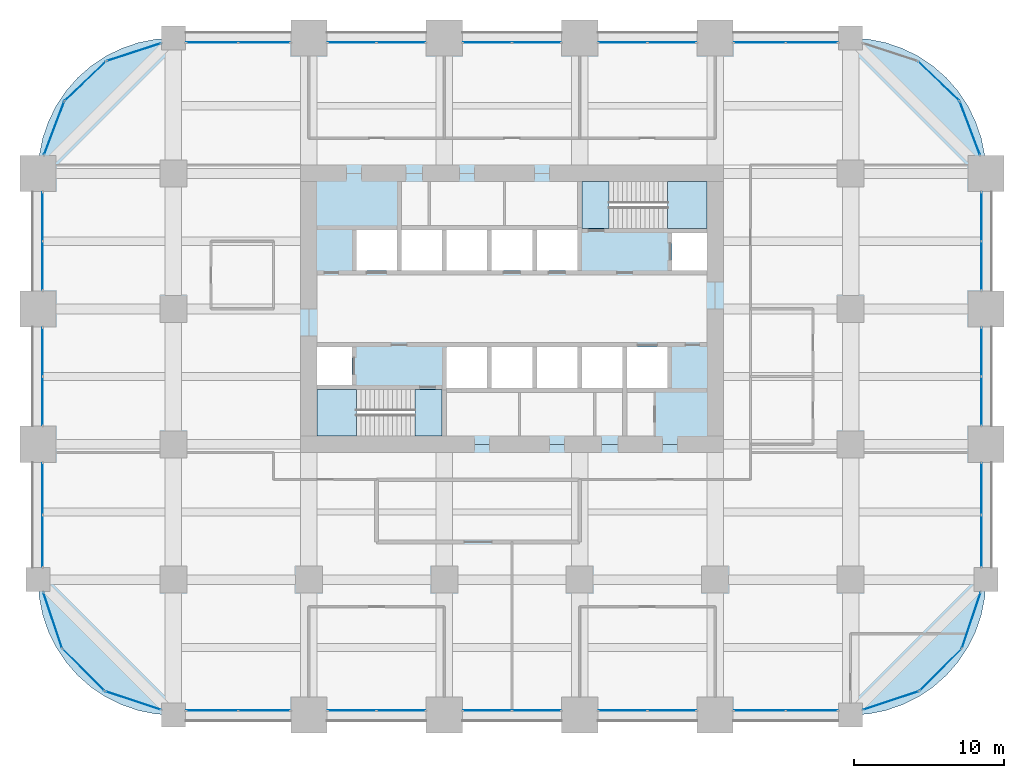
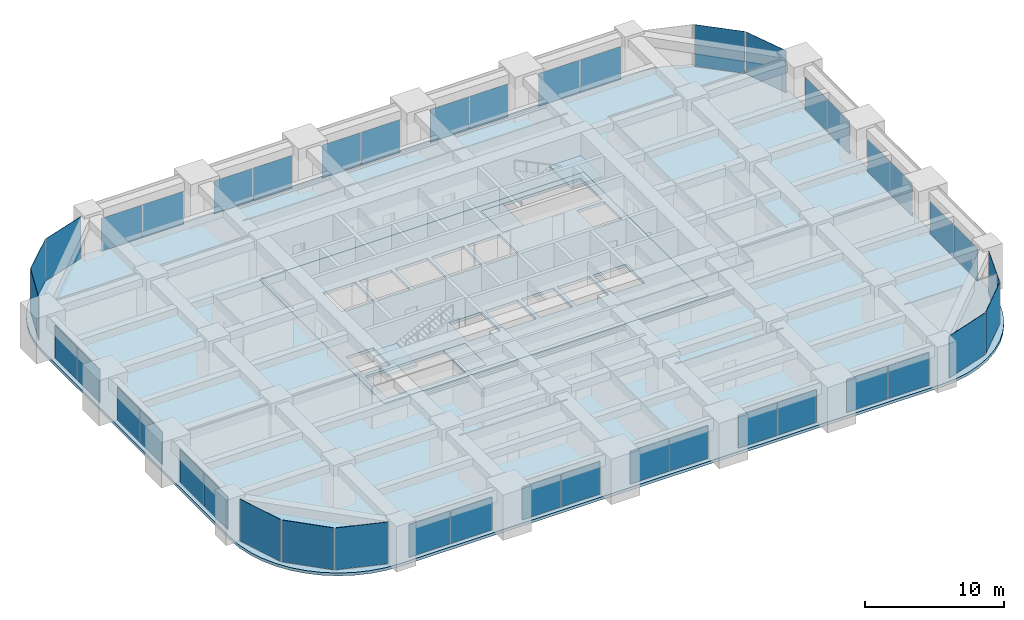
# One storey, part 35 of 39: 43 plates, 6 slabs, 29 elements without a shape of their own.
"""IFC4 building model written with IfcOpenShell, lengths in metres."""

from ifc_helpers import new_model, si_unit, direction, frame, origin, origin_2d, place, context, subcontext, project, spatial, polyline, rectangle, outline, extrude, material, layer, layer_set, type_object, element, aggregate, save


model = new_model("IFC4")

# Units and contexts
model_context = context("Model", 3, precision=1e-05, world=origin(), true_north=direction((0.0, 1.0)))
body_context = subcontext(model_context, "Body", "Model", "MODEL_VIEW")
ifc_project = project(units=[si_unit("LENGTHUNIT", "METRE"), si_unit("AREAUNIT", "SQUARE_METRE"), si_unit("VOLUMEUNIT", "CUBIC_METRE"), si_unit("PLANEANGLEUNIT", "RADIAN"), si_unit("MASSUNIT", "GRAM", prefix="KILO")], contexts=[model_context])

# Site, building, storey
site_placement = place(None, origin())
site = spatial("IfcSite", under=ifc_project, at=site_placement, CompositionType="ELEMENT")
building_placement = place(site_placement, origin())
building = spatial("IfcBuilding", under=site, at=building_placement, Name="Zorevar Civic Tower", CompositionType="ELEMENT")
storey_placement = place(building_placement, frame((0.0, 0.0, 125.0)))
storey = spatial("IfcBuildingStorey", under=building, at=storey_placement, Name="L30", CompositionType="ELEMENT", Elevation=125.0)

# Curtain wall, plates
ifc_material_1 = material(Name="Dark grey solar-control glass in black aluminium frame", Category="aluminium")
curtain_wall_type = type_object("IfcCurtainWallType", Name="Curtain wall CW3 mid zone", PredefinedType="NOTDEFINED", material=ifc_material_1)
curtain_wall_1_placement = place(storey_placement, origin())
curtain_wall_1 = element("IfcCurtainWall", 1, at=curtain_wall_1_placement, inside=storey, type_object=curtain_wall_type, Name="CW3 L30", PredefinedType="NOTDEFINED")
ifc_material_2 = material(Name="Dark grey solar-control glass", Category="glass")
ifc_layer_1 = layer(ifc_material_2, 0.030029296875)
ifc_layer_set_1 = layer_set([ifc_layer_1], Name="CW3 panel 30")
plate_type = type_object("IfcPlateType", Name="CW3 panel 30", PredefinedType="CURTAIN_PANEL", material=ifc_layer_set_1)
plate_1_placement = place(storey_placement, frame((11.56494140625, 0.300048828125, 0.06005859375), z_axis=(0.0, 0.0, 1.0), x_axis=(1.0, 0.0, 0.0)))
plate_1 = element("IfcPlate", 2, at=plate_1_placement, type_object=plate_type, Name="CW3 panel 1.1", PredefinedType="CURTAIN_PANEL", context=body_context, shape_type="SweptSolid", body=[
    extrude(rectangle(XDim=3.409912109375, YDim=0.030029296875, at=origin_2d()), origin(), (0.0, 0.0, 1.0), 2.889892578125),
])
plate_2_placement = place(storey_placement, frame((15.034912109375, 0.300048828125, 0.06005859375), z_axis=(0.0, 0.0, 1.0), x_axis=(1.0, 0.0, 0.0)))
plate_2 = element("IfcPlate", 3, at=plate_2_placement, type_object=plate_type, Name="CW3 panel 2.1", PredefinedType="CURTAIN_PANEL", context=body_context, shape_type="SweptSolid", body=[
    extrude(rectangle(XDim=3.409912109375, YDim=0.030029296875, at=origin_2d()), origin(), (0.0, 0.0, 1.0), 2.889892578125),
])
aggregate(curtain_wall_1, [plate_1, plate_2])

curtain_wall_2_placement = place(storey_placement, origin())
curtain_wall_2 = element("IfcCurtainWall", 4, at=curtain_wall_2_placement, inside=storey, type_object=curtain_wall_type, Name="CW3 L30", PredefinedType="NOTDEFINED")
plate_3_placement = place(storey_placement, frame((11.56494140625, 44.699951171875, 0.06005859375), z_axis=(0.0, 0.0, 1.0), x_axis=(1.0, 0.0, 0.0)))
plate_3 = element("IfcPlate", 5, at=plate_3_placement, type_object=plate_type, Name="CW3 panel 1.1", PredefinedType="CURTAIN_PANEL", context=body_context, shape_type="SweptSolid", body=[
    extrude(rectangle(XDim=3.409912109375, YDim=0.030029296875, at=origin_2d()), origin(), (0.0, 0.0, 1.0), 2.889892578125),
])
plate_4_placement = place(storey_placement, frame((15.034912109375, 44.699951171875, 0.06005859375), z_axis=(0.0, 0.0, 1.0), x_axis=(1.0, 0.0, 0.0)))
plate_4 = element("IfcPlate", 6, at=plate_4_placement, type_object=plate_type, Name="CW3 panel 2.1", PredefinedType="CURTAIN_PANEL", context=body_context, shape_type="SweptSolid", body=[
    extrude(rectangle(XDim=3.409912109375, YDim=0.030029296875, at=origin_2d()), origin(), (0.0, 0.0, 1.0), 2.889892578125),
])
aggregate(curtain_wall_2, [plate_3, plate_4])

curtain_wall_3_placement = place(storey_placement, origin())
curtain_wall_3 = element("IfcCurtainWall", 7, at=curtain_wall_3_placement, inside=storey, type_object=curtain_wall_type, Name="CW3 L30", PredefinedType="NOTDEFINED")
plate_5_placement = place(storey_placement, frame((20.864990234375, 0.300048828125, 0.06005859375), z_axis=(0.0, 0.0, 1.0), x_axis=(1.0, 0.0, 0.0)))
plate_5 = element("IfcPlate", 8, at=plate_5_placement, type_object=plate_type, Name="CW3 panel 1.1", PredefinedType="CURTAIN_PANEL", context=body_context, shape_type="SweptSolid", body=[
    extrude(rectangle(XDim=3.2099609375, YDim=0.030029296875, at=origin_2d()), origin(), (0.0, 0.0, 1.0), 2.889892578125),
])
plate_6_placement = place(storey_placement, frame((24.135009765625, 0.300048828125, 0.06005859375), z_axis=(0.0, 0.0, 1.0), x_axis=(1.0, 0.0, 0.0)))
plate_6 = element("IfcPlate", 9, at=plate_6_placement, type_object=plate_type, Name="CW3 panel 2.1", PredefinedType="CURTAIN_PANEL", context=body_context, shape_type="SweptSolid", body=[
    extrude(rectangle(XDim=3.2099609375, YDim=0.030029296875, at=origin_2d()), origin(), (0.0, 0.0, 1.0), 2.889892578125),
])
aggregate(curtain_wall_3, [plate_5, plate_6])

curtain_wall_4_placement = place(storey_placement, origin())
curtain_wall_4 = element("IfcCurtainWall", 10, at=curtain_wall_4_placement, inside=storey, type_object=curtain_wall_type, Name="CW3 L30", PredefinedType="NOTDEFINED")
plate_7_placement = place(storey_placement, frame((20.864990234375, 44.699951171875, 0.06005859375), z_axis=(0.0, 0.0, 1.0), x_axis=(1.0, 0.0, 0.0)))
plate_7 = element("IfcPlate", 11, at=plate_7_placement, type_object=plate_type, Name="CW3 panel 1.1", PredefinedType="CURTAIN_PANEL", context=body_context, shape_type="SweptSolid", body=[
    extrude(rectangle(XDim=3.2099609375, YDim=0.030029296875, at=origin_2d()), origin(), (0.0, 0.0, 1.0), 2.889892578125),
])
plate_8_placement = place(storey_placement, frame((24.135009765625, 44.699951171875, 0.06005859375), z_axis=(0.0, 0.0, 1.0), x_axis=(1.0, 0.0, 0.0)))
plate_8 = element("IfcPlate", 12, at=plate_8_placement, type_object=plate_type, Name="CW3 panel 2.1", PredefinedType="CURTAIN_PANEL", context=body_context, shape_type="SweptSolid", body=[
    extrude(rectangle(XDim=3.2099609375, YDim=0.030029296875, at=origin_2d()), origin(), (0.0, 0.0, 1.0), 2.889892578125),
])
aggregate(curtain_wall_4, [plate_7, plate_8])

curtain_wall_5_placement = place(storey_placement, origin())
curtain_wall_5 = element("IfcCurtainWall", 13, at=curtain_wall_5_placement, inside=storey, type_object=curtain_wall_type, Name="CW3 L30", PredefinedType="NOTDEFINED")
plate_9_placement = place(storey_placement, frame((29.864990234375, 0.300048828125, 0.06005859375), z_axis=(0.0, 0.0, 1.0), x_axis=(1.0, 0.0, 0.0)))
plate_9 = element("IfcPlate", 14, at=plate_9_placement, type_object=plate_type, Name="CW3 panel 1.1", PredefinedType="CURTAIN_PANEL", context=body_context, shape_type="SweptSolid", body=[
    extrude(rectangle(XDim=3.2099609375, YDim=0.030029296875, at=origin_2d()), origin(), (0.0, 0.0, 1.0), 2.889892578125),
])
plate_10_placement = place(storey_placement, frame((33.135009765625, 0.300048828125, 0.06005859375), z_axis=(0.0, 0.0, 1.0), x_axis=(1.0, 0.0, 0.0)))
plate_10 = element("IfcPlate", 15, at=plate_10_placement, type_object=plate_type, Name="CW3 panel 2.1", PredefinedType="CURTAIN_PANEL", context=body_context, shape_type="SweptSolid", body=[
    extrude(rectangle(XDim=3.2099609375, YDim=0.030029296875, at=origin_2d()), origin(), (0.0, 0.0, 1.0), 2.889892578125),
])
aggregate(curtain_wall_5, [plate_9, plate_10])

curtain_wall_6_placement = place(storey_placement, origin())
curtain_wall_6 = element("IfcCurtainWall", 16, at=curtain_wall_6_placement, inside=storey, type_object=curtain_wall_type, Name="CW3 L30", PredefinedType="NOTDEFINED")
plate_11_placement = place(storey_placement, frame((29.864990234375, 44.699951171875, 0.06005859375), z_axis=(0.0, 0.0, 1.0), x_axis=(1.0, 0.0, 0.0)))
plate_11 = element("IfcPlate", 17, at=plate_11_placement, type_object=plate_type, Name="CW3 panel 1.1", PredefinedType="CURTAIN_PANEL", context=body_context, shape_type="SweptSolid", body=[
    extrude(rectangle(XDim=3.2099609375, YDim=0.030029296875, at=origin_2d()), origin(), (0.0, 0.0, 1.0), 2.889892578125),
])
plate_12_placement = place(storey_placement, frame((33.135009765625, 44.699951171875, 0.06005859375), z_axis=(0.0, 0.0, 1.0), x_axis=(1.0, 0.0, 0.0)))
plate_12 = element("IfcPlate", 18, at=plate_12_placement, type_object=plate_type, Name="CW3 panel 2.1", PredefinedType="CURTAIN_PANEL", context=body_context, shape_type="SweptSolid", body=[
    extrude(rectangle(XDim=3.2099609375, YDim=0.030029296875, at=origin_2d()), origin(), (0.0, 0.0, 1.0), 2.889892578125),
])
aggregate(curtain_wall_6, [plate_11, plate_12])

curtain_wall_7_placement = place(storey_placement, origin())
curtain_wall_7 = element("IfcCurtainWall", 19, at=curtain_wall_7_placement, inside=storey, type_object=curtain_wall_type, Name="CW3 L30", PredefinedType="NOTDEFINED")
plate_13_placement = place(storey_placement, frame((38.864990234375, 0.300048828125, 0.06005859375), z_axis=(0.0, 0.0, 1.0), x_axis=(1.0, 0.0, 0.0)))
plate_13 = element("IfcPlate", 20, at=plate_13_placement, type_object=plate_type, Name="CW3 panel 1.1", PredefinedType="CURTAIN_PANEL", context=body_context, shape_type="SweptSolid", body=[
    extrude(rectangle(XDim=3.2099609375, YDim=0.030029296875, at=origin_2d()), origin(), (0.0, 0.0, 1.0), 2.889892578125),
])
plate_14_placement = place(storey_placement, frame((42.135009765625, 0.300048828125, 0.06005859375), z_axis=(0.0, 0.0, 1.0), x_axis=(1.0, 0.0, 0.0)))
plate_14 = element("IfcPlate", 21, at=plate_14_placement, type_object=plate_type, Name="CW3 panel 2.1", PredefinedType="CURTAIN_PANEL", context=body_context, shape_type="SweptSolid", body=[
    extrude(rectangle(XDim=3.2099609375, YDim=0.030029296875, at=origin_2d()), origin(), (0.0, 0.0, 1.0), 2.889892578125),
])
aggregate(curtain_wall_7, [plate_13, plate_14])

curtain_wall_8_placement = place(storey_placement, origin())
curtain_wall_8 = element("IfcCurtainWall", 22, at=curtain_wall_8_placement, inside=storey, type_object=curtain_wall_type, Name="CW3 L30", PredefinedType="NOTDEFINED")
plate_15_placement = place(storey_placement, frame((38.864990234375, 44.699951171875, 0.06005859375), z_axis=(0.0, 0.0, 1.0), x_axis=(1.0, 0.0, 0.0)))
plate_15 = element("IfcPlate", 23, at=plate_15_placement, type_object=plate_type, Name="CW3 panel 1.1", PredefinedType="CURTAIN_PANEL", context=body_context, shape_type="SweptSolid", body=[
    extrude(rectangle(XDim=3.2099609375, YDim=0.030029296875, at=origin_2d()), origin(), (0.0, 0.0, 1.0), 2.889892578125),
])
plate_16_placement = place(storey_placement, frame((42.135009765625, 44.699951171875, 0.06005859375), z_axis=(0.0, 0.0, 1.0), x_axis=(1.0, 0.0, 0.0)))
plate_16 = element("IfcPlate", 24, at=plate_16_placement, type_object=plate_type, Name="CW3 panel 2.1", PredefinedType="CURTAIN_PANEL", context=body_context, shape_type="SweptSolid", body=[
    extrude(rectangle(XDim=3.2099609375, YDim=0.030029296875, at=origin_2d()), origin(), (0.0, 0.0, 1.0), 2.889892578125),
])
aggregate(curtain_wall_8, [plate_15, plate_16])

curtain_wall_9_placement = place(storey_placement, origin())
curtain_wall_9 = element("IfcCurtainWall", 25, at=curtain_wall_9_placement, inside=storey, type_object=curtain_wall_type, Name="CW3 L30", PredefinedType="NOTDEFINED")
plate_17_placement = place(storey_placement, frame((47.965087890625, 0.300048828125, 0.06005859375), z_axis=(0.0, 0.0, 1.0), x_axis=(1.0, 0.0, 0.0)))
plate_17 = element("IfcPlate", 26, at=plate_17_placement, type_object=plate_type, Name="CW3 panel 1.1", PredefinedType="CURTAIN_PANEL", context=body_context, shape_type="SweptSolid", body=[
    extrude(rectangle(XDim=3.409912109375, YDim=0.030029296875, at=origin_2d()), origin(), (0.0, 0.0, 1.0), 2.889892578125),
])
plate_18_placement = place(storey_placement, frame((51.43505859375, 0.300048828125, 0.06005859375), z_axis=(0.0, 0.0, 1.0), x_axis=(1.0, 0.0, 0.0)))
plate_18 = element("IfcPlate", 27, at=plate_18_placement, type_object=plate_type, Name="CW3 panel 2.1", PredefinedType="CURTAIN_PANEL", context=body_context, shape_type="SweptSolid", body=[
    extrude(rectangle(XDim=3.409912109375, YDim=0.030029296875, at=origin_2d()), origin(), (0.0, 0.0, 1.0), 2.889892578125),
])
aggregate(curtain_wall_9, [plate_17, plate_18])

curtain_wall_10_placement = place(storey_placement, origin())
curtain_wall_10 = element("IfcCurtainWall", 28, at=curtain_wall_10_placement, inside=storey, type_object=curtain_wall_type, Name="CW3 L30", PredefinedType="NOTDEFINED")
plate_19_placement = place(storey_placement, frame((47.965087890625, 44.699951171875, 0.06005859375), z_axis=(0.0, 0.0, 1.0), x_axis=(1.0, 0.0, 0.0)))
plate_19 = element("IfcPlate", 29, at=plate_19_placement, type_object=plate_type, Name="CW3 panel 1.1", PredefinedType="CURTAIN_PANEL", context=body_context, shape_type="SweptSolid", body=[
    extrude(rectangle(XDim=3.409912109375, YDim=0.030029296875, at=origin_2d()), origin(), (0.0, 0.0, 1.0), 2.889892578125),
])
plate_20_placement = place(storey_placement, frame((51.43505859375, 44.699951171875, 0.06005859375), z_axis=(0.0, 0.0, 1.0), x_axis=(1.0, 0.0, 0.0)))
plate_20 = element("IfcPlate", 30, at=plate_20_placement, type_object=plate_type, Name="CW3 panel 2.1", PredefinedType="CURTAIN_PANEL", context=body_context, shape_type="SweptSolid", body=[
    extrude(rectangle(XDim=3.409912109375, YDim=0.030029296875, at=origin_2d()), origin(), (0.0, 0.0, 1.0), 2.889892578125),
])
aggregate(curtain_wall_10, [plate_19, plate_20])

curtain_wall_11_placement = place(storey_placement, origin())
curtain_wall_11 = element("IfcCurtainWall", 31, at=curtain_wall_11_placement, inside=storey, type_object=curtain_wall_type, Name="CW3 L30", PredefinedType="NOTDEFINED")
plate_21_placement = place(storey_placement, frame((0.300048828125, 11.56494140625, 0.06005859375), z_axis=(0.0, 0.0, 1.0), x_axis=(0.0, 1.0, 0.0)))
plate_21 = element("IfcPlate", 32, at=plate_21_placement, type_object=plate_type, Name="CW3 panel 1.1", PredefinedType="CURTAIN_PANEL", context=body_context, shape_type="SweptSolid", body=[
    extrude(rectangle(XDim=3.409912109375, YDim=0.030029296875, at=origin_2d()), origin(), (0.0, 0.0, 1.0), 2.889892578125),
])
plate_22_placement = place(storey_placement, frame((0.300048828125, 15.034912109375, 0.06005859375), z_axis=(0.0, 0.0, 1.0), x_axis=(0.0, 1.0, 0.0)))
plate_22 = element("IfcPlate", 33, at=plate_22_placement, type_object=plate_type, Name="CW3 panel 2.1", PredefinedType="CURTAIN_PANEL", context=body_context, shape_type="SweptSolid", body=[
    extrude(rectangle(XDim=3.409912109375, YDim=0.030029296875, at=origin_2d()), origin(), (0.0, 0.0, 1.0), 2.889892578125),
])
aggregate(curtain_wall_11, [plate_21, plate_22])

curtain_wall_12_placement = place(storey_placement, origin())
curtain_wall_12 = element("IfcCurtainWall", 34, at=curtain_wall_12_placement, inside=storey, type_object=curtain_wall_type, Name="CW3 L30", PredefinedType="NOTDEFINED")
plate_23_placement = place(storey_placement, frame((62.699951171875, 11.56494140625, 0.06005859375), z_axis=(0.0, 0.0, 1.0), x_axis=(0.0, 1.0, 0.0)))
plate_23 = element("IfcPlate", 35, at=plate_23_placement, type_object=plate_type, Name="CW3 panel 1.1", PredefinedType="CURTAIN_PANEL", context=body_context, shape_type="SweptSolid", body=[
    extrude(rectangle(XDim=3.409912109375, YDim=0.030029296875, at=origin_2d()), origin(), (0.0, 0.0, 1.0), 2.889892578125),
])
plate_24_placement = place(storey_placement, frame((62.699951171875, 15.034912109375, 0.06005859375), z_axis=(0.0, 0.0, 1.0), x_axis=(0.0, 1.0, 0.0)))
plate_24 = element("IfcPlate", 36, at=plate_24_placement, type_object=plate_type, Name="CW3 panel 2.1", PredefinedType="CURTAIN_PANEL", context=body_context, shape_type="SweptSolid", body=[
    extrude(rectangle(XDim=3.409912109375, YDim=0.030029296875, at=origin_2d()), origin(), (0.0, 0.0, 1.0), 2.889892578125),
])
aggregate(curtain_wall_12, [plate_23, plate_24])

curtain_wall_13_placement = place(storey_placement, origin())
curtain_wall_13 = element("IfcCurtainWall", 37, at=curtain_wall_13_placement, inside=storey, type_object=curtain_wall_type, Name="CW3 L30", PredefinedType="NOTDEFINED")
plate_25_placement = place(storey_placement, frame((0.300048828125, 20.864990234375, 0.06005859375), z_axis=(0.0, 0.0, 1.0), x_axis=(0.0, 1.0, 0.0)))
plate_25 = element("IfcPlate", 38, at=plate_25_placement, type_object=plate_type, Name="CW3 panel 1.1", PredefinedType="CURTAIN_PANEL", context=body_context, shape_type="SweptSolid", body=[
    extrude(rectangle(XDim=3.2099609375, YDim=0.030029296875, at=origin_2d()), origin(), (0.0, 0.0, 1.0), 2.889892578125),
])
plate_26_placement = place(storey_placement, frame((0.300048828125, 24.135009765625, 0.06005859375), z_axis=(0.0, 0.0, 1.0), x_axis=(0.0, 1.0, 0.0)))
plate_26 = element("IfcPlate", 39, at=plate_26_placement, type_object=plate_type, Name="CW3 panel 2.1", PredefinedType="CURTAIN_PANEL", context=body_context, shape_type="SweptSolid", body=[
    extrude(rectangle(XDim=3.2099609375, YDim=0.030029296875, at=origin_2d()), origin(), (0.0, 0.0, 1.0), 2.889892578125),
])
aggregate(curtain_wall_13, [plate_25, plate_26])

curtain_wall_14_placement = place(storey_placement, origin())
curtain_wall_14 = element("IfcCurtainWall", 40, at=curtain_wall_14_placement, inside=storey, type_object=curtain_wall_type, Name="CW3 L30", PredefinedType="NOTDEFINED")
plate_27_placement = place(storey_placement, frame((62.699951171875, 20.864990234375, 0.06005859375), z_axis=(0.0, 0.0, 1.0), x_axis=(0.0, 1.0, 0.0)))
plate_27 = element("IfcPlate", 41, at=plate_27_placement, type_object=plate_type, Name="CW3 panel 1.1", PredefinedType="CURTAIN_PANEL", context=body_context, shape_type="SweptSolid", body=[
    extrude(rectangle(XDim=3.2099609375, YDim=0.030029296875, at=origin_2d()), origin(), (0.0, 0.0, 1.0), 2.889892578125),
])
plate_28_placement = place(storey_placement, frame((62.699951171875, 24.135009765625, 0.06005859375), z_axis=(0.0, 0.0, 1.0), x_axis=(0.0, 1.0, 0.0)))
plate_28 = element("IfcPlate", 42, at=plate_28_placement, type_object=plate_type, Name="CW3 panel 2.1", PredefinedType="CURTAIN_PANEL", context=body_context, shape_type="SweptSolid", body=[
    extrude(rectangle(XDim=3.2099609375, YDim=0.030029296875, at=origin_2d()), origin(), (0.0, 0.0, 1.0), 2.889892578125),
])
aggregate(curtain_wall_14, [plate_27, plate_28])

curtain_wall_15_placement = place(storey_placement, origin())
curtain_wall_15 = element("IfcCurtainWall", 43, at=curtain_wall_15_placement, inside=storey, type_object=curtain_wall_type, Name="CW3 L30", PredefinedType="NOTDEFINED")
plate_29_placement = place(storey_placement, frame((0.300048828125, 29.864990234375, 0.06005859375), z_axis=(0.0, 0.0, 1.0), x_axis=(0.0, 1.0, 0.0)))
plate_29 = element("IfcPlate", 44, at=plate_29_placement, type_object=plate_type, Name="CW3 panel 1.1", PredefinedType="CURTAIN_PANEL", context=body_context, shape_type="SweptSolid", body=[
    extrude(rectangle(XDim=3.2099609375, YDim=0.030029296875, at=origin_2d()), origin(), (0.0, 0.0, 1.0), 2.889892578125),
])
plate_30_placement = place(storey_placement, frame((0.300048828125, 33.135009765625, 0.06005859375), z_axis=(0.0, 0.0, 1.0), x_axis=(0.0, 1.0, 0.0)))
plate_30 = element("IfcPlate", 45, at=plate_30_placement, type_object=plate_type, Name="CW3 panel 2.1", PredefinedType="CURTAIN_PANEL", context=body_context, shape_type="SweptSolid", body=[
    extrude(rectangle(XDim=3.2099609375, YDim=0.030029296875, at=origin_2d()), origin(), (0.0, 0.0, 1.0), 2.889892578125),
])
aggregate(curtain_wall_15, [plate_29, plate_30])

curtain_wall_16_placement = place(storey_placement, origin())
curtain_wall_16 = element("IfcCurtainWall", 46, at=curtain_wall_16_placement, inside=storey, type_object=curtain_wall_type, Name="CW3 L30", PredefinedType="NOTDEFINED")
plate_31_placement = place(storey_placement, frame((62.699951171875, 29.864990234375, 0.06005859375), z_axis=(0.0, 0.0, 1.0), x_axis=(0.0, 1.0, 0.0)))
plate_31 = element("IfcPlate", 47, at=plate_31_placement, type_object=plate_type, Name="CW3 panel 1.1", PredefinedType="CURTAIN_PANEL", context=body_context, shape_type="SweptSolid", body=[
    extrude(rectangle(XDim=3.2099609375, YDim=0.030029296875, at=origin_2d()), origin(), (0.0, 0.0, 1.0), 2.889892578125),
])
plate_32_placement = place(storey_placement, frame((62.699951171875, 33.135009765625, 0.06005859375), z_axis=(0.0, 0.0, 1.0), x_axis=(0.0, 1.0, 0.0)))
plate_32 = element("IfcPlate", 48, at=plate_32_placement, type_object=plate_type, Name="CW3 panel 2.1", PredefinedType="CURTAIN_PANEL", context=body_context, shape_type="SweptSolid", body=[
    extrude(rectangle(XDim=3.2099609375, YDim=0.030029296875, at=origin_2d()), origin(), (0.0, 0.0, 1.0), 2.889892578125),
])
aggregate(curtain_wall_16, [plate_31, plate_32])

# Curtain wall, plate
curtain_wall_17_placement = place(storey_placement, origin())
curtain_wall_17 = element("IfcCurtainWall", 49, at=curtain_wall_17_placement, inside=storey, type_object=curtain_wall_type, Name="CW3 L30", PredefinedType="NOTDEFINED")
plate_33_placement = place(storey_placement, frame((56.689453125, 0.9697265625, 0.06005859375), z_axis=(0.0, 0.0, 1.0), x_axis=(0.948227238701, 0.317592669603, 0.0)))
plate_33 = element("IfcPlate", 50, at=plate_33_placement, type_object=plate_type, Name="CW3 panel 1.1", PredefinedType="CURTAIN_PANEL", context=body_context, shape_type="SweptSolid", body=[
    extrude(rectangle(XDim=3.865478515625, YDim=0.030029296875, at=origin_2d()), origin(), (0.0, 0.0, 1.0), 3.68994140625),
])
aggregate(curtain_wall_17, [plate_33])

curtain_wall_18_placement = place(storey_placement, origin())
curtain_wall_18 = element("IfcCurtainWall", 51, at=curtain_wall_18_placement, inside=storey, type_object=curtain_wall_type, Name="CW3 L30", PredefinedType="NOTDEFINED")
plate_34_placement = place(storey_placement, frame((59.98828125, 3.01171875, 0.06005859375), z_axis=(0.0, 0.0, 1.0), x_axis=(0.707106781187, 0.707106781187, 0.0)))
plate_34 = element("IfcPlate", 52, at=plate_34_placement, type_object=plate_type, Name="CW3 panel 1.1", PredefinedType="CURTAIN_PANEL", context=body_context, shape_type="SweptSolid", body=[
    extrude(rectangle(XDim=3.865478515625, YDim=0.030029296875, at=origin_2d()), origin(), (0.0, 0.0, 1.0), 3.68994140625),
])
aggregate(curtain_wall_18, [plate_34])

curtain_wall_19_placement = place(storey_placement, origin())
curtain_wall_19 = element("IfcCurtainWall", 53, at=curtain_wall_19_placement, inside=storey, type_object=curtain_wall_type, Name="CW3 L30", PredefinedType="NOTDEFINED")
plate_35_placement = place(storey_placement, frame((62.0302734375, 6.310546875, 0.06005859375), z_axis=(0.0, 0.0, 1.0), x_axis=(0.317592669603, 0.948227238701, 0.0)))
plate_35 = element("IfcPlate", 54, at=plate_35_placement, type_object=plate_type, Name="CW3 panel 1.1", PredefinedType="CURTAIN_PANEL", context=body_context, shape_type="SweptSolid", body=[
    extrude(rectangle(XDim=3.865478515625, YDim=0.030029296875, at=origin_2d()), origin(), (0.0, 0.0, 1.0), 3.68994140625),
])
aggregate(curtain_wall_19, [plate_35])

curtain_wall_20_placement = place(storey_placement, origin())
curtain_wall_20 = element("IfcCurtainWall", 55, at=curtain_wall_20_placement, inside=storey, type_object=curtain_wall_type, Name="CW3 L30", PredefinedType="NOTDEFINED")
plate_36_placement = place(storey_placement, frame((61.9345703125, 39.002685546875, 0.06005859375), z_axis=(0.0, 0.0, 1.0), x_axis=(-0.353917722218, 0.935276561184, 0.0)))
plate_36 = element("IfcPlate", 56, at=plate_36_placement, type_object=plate_type, Name="CW3 panel 1.1", PredefinedType="CURTAIN_PANEL", context=body_context, shape_type="SweptSolid", body=[
    extrude(rectangle(XDim=3.734619140625, YDim=0.030029296875, at=origin_2d()), origin(), (0.0, 0.0, 1.0), 3.68994140625),
])
aggregate(curtain_wall_20, [plate_36])

curtain_wall_21_placement = place(storey_placement, origin())
curtain_wall_21 = element("IfcCurtainWall", 57, at=curtain_wall_21_placement, inside=storey, type_object=curtain_wall_type, Name="CW3 L30", PredefinedType="NOTDEFINED")
plate_37_placement = place(storey_placement, frame((59.8583984375, 42.13623046875, 0.06005859375), z_axis=(0.0, 0.0, 1.0), x_axis=(-0.723289117983, 0.690545329292, 0.0)))
plate_37 = element("IfcPlate", 58, at=plate_37_placement, type_object=plate_type, Name="CW3 panel 1.1", PredefinedType="CURTAIN_PANEL", context=body_context, shape_type="SweptSolid", body=[
    extrude(rectangle(XDim=3.734619140625, YDim=0.030029296875, at=origin_2d()), origin(), (0.0, 0.0, 1.0), 3.68994140625),
])
aggregate(curtain_wall_21, [plate_37])

curtain_wall_22_placement = place(storey_placement, origin())
curtain_wall_22 = element("IfcCurtainWall", 59, at=curtain_wall_22_placement, inside=storey, type_object=curtain_wall_type, Name="CW3 L30", PredefinedType="NOTDEFINED")
plate_38_placement = place(storey_placement, frame((6.36767578125, 44.065185546875, 0.06005859375), z_axis=(0.0, 0.0, 1.0), x_axis=(-0.950650706548, -0.310263169163, 0.0)))
plate_38 = element("IfcPlate", 60, at=plate_38_placement, type_object=plate_type, Name="CW3 panel 1.1", PredefinedType="CURTAIN_PANEL", context=body_context, shape_type="SweptSolid", body=[
    extrude(rectangle(XDim=3.734619140625, YDim=0.030029296875, at=origin_2d()), origin(), (0.0, 0.0, 1.0), 3.68994140625),
])
aggregate(curtain_wall_22, [plate_38])

curtain_wall_23_placement = place(storey_placement, origin())
curtain_wall_23 = element("IfcCurtainWall", 61, at=curtain_wall_23_placement, inside=storey, type_object=curtain_wall_type, Name="CW3 L30", PredefinedType="NOTDEFINED")
plate_39_placement = place(storey_placement, frame((3.1416015625, 42.13623046875, 0.06005859375), z_axis=(0.0, 0.0, 1.0), x_axis=(-0.723289117983, -0.690545329292, 0.0)))
plate_39 = element("IfcPlate", 62, at=plate_39_placement, type_object=plate_type, Name="CW3 panel 1.1", PredefinedType="CURTAIN_PANEL", context=body_context, shape_type="SweptSolid", body=[
    extrude(rectangle(XDim=3.734619140625, YDim=0.030029296875, at=origin_2d()), origin(), (0.0, 0.0, 1.0), 3.68994140625),
])
aggregate(curtain_wall_23, [plate_39])

curtain_wall_24_placement = place(storey_placement, origin())
curtain_wall_24 = element("IfcCurtainWall", 63, at=curtain_wall_24_placement, inside=storey, type_object=curtain_wall_type, Name="CW3 L30", PredefinedType="NOTDEFINED")
plate_40_placement = place(storey_placement, frame((1.0654296875, 39.002685546875, 0.06005859375), z_axis=(0.0, 0.0, 1.0), x_axis=(-0.353917722218, -0.935276561184, 0.0)))
plate_40 = element("IfcPlate", 64, at=plate_40_placement, type_object=plate_type, Name="CW3 panel 1.1", PredefinedType="CURTAIN_PANEL", context=body_context, shape_type="SweptSolid", body=[
    extrude(rectangle(XDim=3.734619140625, YDim=0.030029296875, at=origin_2d()), origin(), (0.0, 0.0, 1.0), 3.68994140625),
])
aggregate(curtain_wall_24, [plate_40])

curtain_wall_25_placement = place(storey_placement, origin())
curtain_wall_25 = element("IfcCurtainWall", 65, at=curtain_wall_25_placement, inside=storey, type_object=curtain_wall_type, Name="CW3 L30", PredefinedType="NOTDEFINED")
plate_41_placement = place(storey_placement, frame((0.9697265625, 6.310546875, 0.06005859375), z_axis=(0.0, 0.0, 1.0), x_axis=(0.317592669603, -0.948227238701, 0.0)))
plate_41 = element("IfcPlate", 66, at=plate_41_placement, type_object=plate_type, Name="CW3 panel 1.1", PredefinedType="CURTAIN_PANEL", context=body_context, shape_type="SweptSolid", body=[
    extrude(rectangle(XDim=3.865478515625, YDim=0.030029296875, at=origin_2d()), origin(), (0.0, 0.0, 1.0), 3.68994140625),
])
aggregate(curtain_wall_25, [plate_41])

curtain_wall_26_placement = place(storey_placement, origin())
curtain_wall_26 = element("IfcCurtainWall", 67, at=curtain_wall_26_placement, inside=storey, type_object=curtain_wall_type, Name="CW3 L30", PredefinedType="NOTDEFINED")
plate_42_placement = place(storey_placement, frame((3.01171875, 3.01171875, 0.06005859375), z_axis=(0.0, 0.0, 1.0), x_axis=(0.707106781187, -0.707106781187, 0.0)))
plate_42 = element("IfcPlate", 68, at=plate_42_placement, type_object=plate_type, Name="CW3 panel 1.1", PredefinedType="CURTAIN_PANEL", context=body_context, shape_type="SweptSolid", body=[
    extrude(rectangle(XDim=3.865478515625, YDim=0.030029296875, at=origin_2d()), origin(), (0.0, 0.0, 1.0), 3.68994140625),
])
aggregate(curtain_wall_26, [plate_42])

curtain_wall_27_placement = place(storey_placement, origin())
curtain_wall_27 = element("IfcCurtainWall", 69, at=curtain_wall_27_placement, inside=storey, type_object=curtain_wall_type, Name="CW3 L30", PredefinedType="NOTDEFINED")
plate_43_placement = place(storey_placement, frame((6.310546875, 0.9697265625, 0.06005859375), z_axis=(0.0, 0.0, 1.0), x_axis=(0.948227238701, -0.317592669603, 0.0)))
plate_43 = element("IfcPlate", 70, at=plate_43_placement, type_object=plate_type, Name="CW3 panel 1.1", PredefinedType="CURTAIN_PANEL", context=body_context, shape_type="SweptSolid", body=[
    extrude(rectangle(XDim=3.865478515625, YDim=0.030029296875, at=origin_2d()), origin(), (0.0, 0.0, 1.0), 3.68994140625),
])
aggregate(curtain_wall_27, [plate_43])

# Slabs
ifc_material_3 = material(Name="Concrete C40/50", Category="concrete")
ifc_layer_2 = layer(ifc_material_3, 0.25)
ifc_layer_set_2 = layer_set([ifc_layer_2], Name="Compartment floor slab 250")
slab_type_1 = type_object("IfcSlabType", Name="Compartment floor slab 250", PredefinedType="FLOOR", material=ifc_layer_set_2)
slab_1_placement = place(storey_placement, frame((0.0, 0.0, -0.25)))
element("IfcSlab", 71, at=slab_1_placement, inside=storey, type_object=slab_type_1, Name="Floor slab L30", PredefinedType="FLOOR", context=body_context, shape_type="SweptSolid", body=[
    extrude(outline(polyline([(54.0, 0.0), (55.1748046875, 0.076904296875), (56.329345703125, 0.306640625), (57.444091796875, 0.68505859375), (58.5, 1.205810546875), (59.478759765625, 1.85986328125), (60.364013671875, 2.635986328125), (61.14013671875, 3.521240234375), (61.794189453125, 4.5), (62.31494140625, 5.555908203125), (62.693359375, 6.670654296875), (62.923095703125, 7.8251953125), (63.0, 9.0), (63.0, 36.0), (62.923095703125, 37.1748046875), (62.693359375, 38.329345703125), (62.31494140625, 39.444091796875), (61.794189453125, 40.5), (61.14013671875, 41.478759765625), (60.364013671875, 42.364013671875), (59.478759765625, 43.14013671875), (58.5, 43.794189453125), (57.444091796875, 44.31494140625), (56.329345703125, 44.693359375), (55.1748046875, 44.923095703125), (54.0, 45.0), (9.0, 45.0), (7.8251953125, 44.923095703125), (6.670654296875, 44.693359375), (5.555908203125, 44.31494140625), (4.5, 43.794189453125), (3.521240234375, 43.14013671875), (2.635986328125, 42.364013671875), (1.85986328125, 41.478759765625), (1.205810546875, 40.5), (0.68505859375, 39.444091796875), (0.306640625, 38.329345703125), (0.076904296875, 37.1748046875), (0.0, 36.0), (0.0, 9.0), (0.076904296875, 7.8251953125), (0.306640625, 6.670654296875), (0.68505859375, 5.555908203125), (1.205810546875, 4.5), (1.85986328125, 3.521240234375), (2.635986328125, 2.635986328125), (3.521240234375, 1.85986328125), (4.5, 1.205810546875), (5.555908203125, 0.68505859375), (6.670654296875, 0.306640625), (7.8251953125, 0.076904296875), (9.0, 0.0), (54.0, 0.0)]), holes=[polyline([(18.0, 18.0), (45.0, 18.0), (45.0, 36.0), (18.0, 36.0), (18.0, 18.0)])]), origin(), (0.0, 0.0, 1.0), 0.25),
])
slab_2_placement = place(storey_placement, frame((0.0, 0.0, -0.25)))
element("IfcSlab", 72, at=slab_2_placement, inside=storey, type_object=slab_type_1, Name="Core floor L30", PredefinedType="FLOOR", context=body_context, shape_type="SweptSolid", body=[
    extrude(outline(polyline([(18.0, 18.0), (45.0, 18.0), (45.0, 36.0), (18.0, 36.0), (18.0, 18.0)]), holes=[polyline([(18.550048828125, 18.550048828125), (26.85009765625, 18.550048828125), (26.85009765625, 21.64990234375), (18.550048828125, 21.64990234375), (18.550048828125, 18.550048828125)]), polyline([(36.14990234375, 32.35009765625), (44.449951171875, 32.35009765625), (44.449951171875, 35.449951171875), (36.14990234375, 35.449951171875), (36.14990234375, 32.35009765625)]), polyline([(18.550048828125, 21.949951171875), (20.85009765625, 21.949951171875), (20.85009765625, 24.449951171875), (18.550048828125, 24.449951171875), (18.550048828125, 21.949951171875)]), polyline([(42.14990234375, 29.550048828125), (44.449951171875, 29.550048828125), (44.449951171875, 32.050048828125), (42.14990234375, 32.050048828125), (42.14990234375, 29.550048828125)]), polyline([(27.14990234375, 21.75), (29.85009765625, 21.75), (29.85009765625, 24.449951171875), (27.14990234375, 24.449951171875), (27.14990234375, 21.75)]), polyline([(33.14990234375, 29.550048828125), (35.85009765625, 29.550048828125), (35.85009765625, 32.25), (33.14990234375, 32.25), (33.14990234375, 29.550048828125)]), polyline([(30.14990234375, 21.75), (32.85009765625, 21.75), (32.85009765625, 24.449951171875), (30.14990234375, 24.449951171875), (30.14990234375, 21.75)]), polyline([(30.14990234375, 29.550048828125), (32.85009765625, 29.550048828125), (32.85009765625, 32.25), (30.14990234375, 32.25), (30.14990234375, 29.550048828125)]), polyline([(33.14990234375, 21.75), (35.85009765625, 21.75), (35.85009765625, 24.449951171875), (33.14990234375, 24.449951171875), (33.14990234375, 21.75)]), polyline([(27.14990234375, 29.550048828125), (29.85009765625, 29.550048828125), (29.85009765625, 32.25), (27.14990234375, 32.25), (27.14990234375, 29.550048828125)]), polyline([(36.14990234375, 21.75), (38.85009765625, 21.75), (38.85009765625, 24.449951171875), (36.14990234375, 24.449951171875), (36.14990234375, 21.75)]), polyline([(24.14990234375, 29.550048828125), (26.85009765625, 29.550048828125), (26.85009765625, 32.25), (24.14990234375, 32.25), (24.14990234375, 29.550048828125)]), polyline([(39.14990234375, 21.75), (41.85009765625, 21.75), (41.85009765625, 24.449951171875), (39.14990234375, 24.449951171875), (39.14990234375, 21.75)]), polyline([(21.14990234375, 29.550048828125), (23.85009765625, 29.550048828125), (23.85009765625, 32.25), (21.14990234375, 32.25), (21.14990234375, 29.550048828125)])]), origin(), (0.0, 0.0, 1.0), 0.25),
])

# Stair, slabs
ifc_material_4 = material(Name="Precast concrete C40/50", Category="concrete")
stair_type = type_object("IfcStairType", Name="Stair ST 28R", PredefinedType="HALF_TURN_STAIR", material=ifc_material_4)
stair_1_placement = place(storey_placement, origin())
stair_1 = element("IfcStair", 73, at=stair_1_placement, inside=storey, type_object=stair_type, Name="Stair ST1 L30", PredefinedType="HALF_TURN_STAIR")
ifc_material_5 = material(Name="Concrete C40/50", Category="concrete")
ifc_layer_3 = layer(ifc_material_5, 0.199951171875)
ifc_layer_set_3 = layer_set([ifc_layer_3], Name="Stair landing 200")
slab_type_2 = type_object("IfcSlabType", Name="Stair landing 200", PredefinedType="LANDING", material=ifc_layer_set_3)
slab_3_placement = place(storey_placement, frame((0.0, 0.0, -0.199951171875)))
slab_3 = element("IfcSlab", 74, at=slab_3_placement, type_object=slab_type_2, Name="ST1 landing 1", PredefinedType="LANDING", context=body_context, shape_type="SweptSolid", body=[
    extrude(outline(polyline([(25.050048828125, 18.550048828125), (26.85009765625, 18.550048828125), (26.85009765625, 21.64990234375), (25.050048828125, 21.64990234375), (25.050048828125, 18.550048828125)])), origin(), (0.0, 0.0, 1.0), 0.199951171875),
])
slab_4_placement = place(storey_placement, frame((0.0, 0.0, 1.800048828125)))
slab_4 = element("IfcSlab", 75, at=slab_4_placement, type_object=slab_type_2, Name="ST1 landing 2", PredefinedType="LANDING", context=body_context, shape_type="SweptSolid", body=[
    extrude(outline(polyline([(18.550048828125, 18.550048828125), (21.14990234375, 18.550048828125), (21.14990234375, 21.64990234375), (18.550048828125, 21.64990234375), (18.550048828125, 18.550048828125)])), origin(), (0.0, 0.0, 1.0), 0.199951171875),
])
aggregate(stair_1, [slab_3, slab_4])

stair_2_placement = place(storey_placement, origin())
stair_2 = element("IfcStair", 76, at=stair_2_placement, inside=storey, type_object=stair_type, Name="Stair ST2 L30", PredefinedType="HALF_TURN_STAIR")
slab_5_placement = place(storey_placement, frame((0.0, 0.0, -0.199951171875)))
slab_5 = element("IfcSlab", 77, at=slab_5_placement, type_object=slab_type_2, Name="ST2 landing 1", PredefinedType="LANDING", context=body_context, shape_type="SweptSolid", body=[
    extrude(outline(polyline([(37.949951171875, 32.35009765625), (36.14990234375, 32.35009765625), (36.14990234375, 35.449951171875), (37.949951171875, 35.449951171875), (37.949951171875, 32.35009765625)])), origin(), (0.0, 0.0, 1.0), 0.199951171875),
])
slab_6_placement = place(storey_placement, frame((0.0, 0.0, 1.800048828125)))
slab_6 = element("IfcSlab", 78, at=slab_6_placement, type_object=slab_type_2, Name="ST2 landing 2", PredefinedType="LANDING", context=body_context, shape_type="SweptSolid", body=[
    extrude(outline(polyline([(44.449951171875, 32.35009765625), (41.85009765625, 32.35009765625), (41.85009765625, 35.449951171875), (44.449951171875, 35.449951171875), (44.449951171875, 32.35009765625)])), origin(), (0.0, 0.0, 1.0), 0.199951171875),
])
aggregate(stair_2, [slab_5, slab_6])

save(model, "model.ifc")
